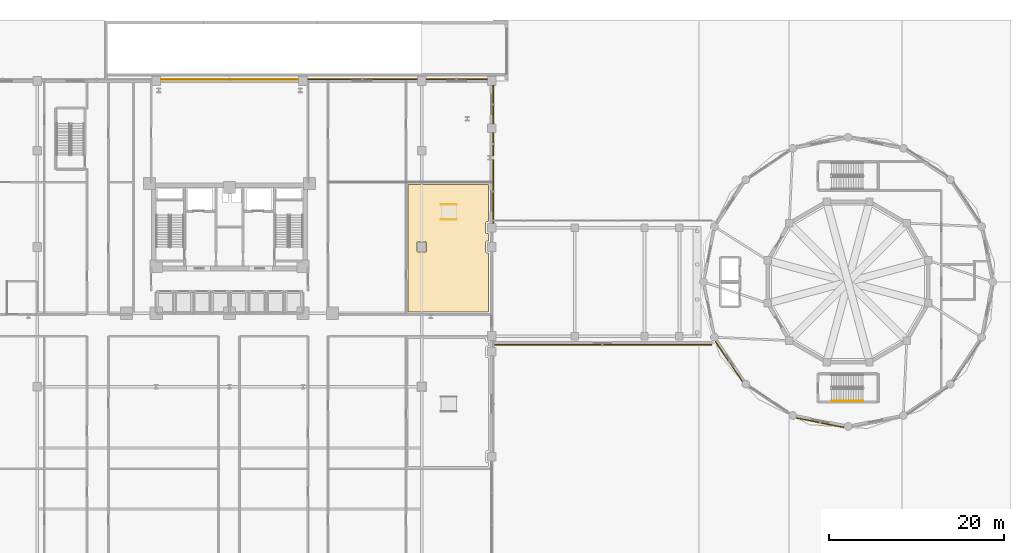
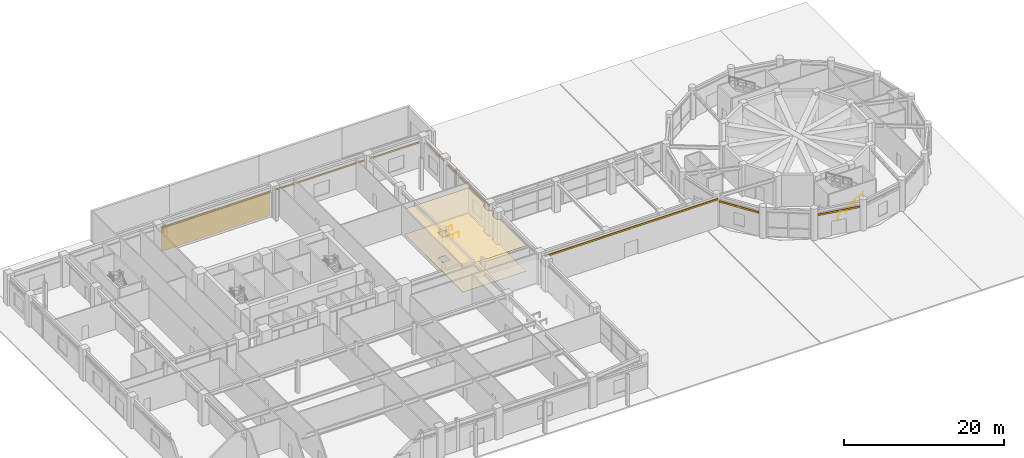
# One storey, part 37 of 40: 9 shading devices, 3 coverings, 3 railings.
"""IFC4 building model written with IfcOpenShell, lengths in metres."""

from ifc_helpers import new_model, si_unit, derived_unit, direction, frame, origin, origin_2d, place, context, subcontext, project, spatial, polyline, hollow_rectangle, circle, outline, extrude, source, transform, mapped, material, layer, layer_set, material_profile, profile_set, type_object, element, save


model = new_model("IFC4")

# Units and contexts
model_context = context("Model", 3, precision=1e-05, world=origin(), true_north=direction((0.0, 1.0)))
body_context = subcontext(model_context, "Body", "Model", "MODEL_VIEW")
ifc_project = project(units=[si_unit("LENGTHUNIT", "METRE"), si_unit("AREAUNIT", "SQUARE_METRE"), si_unit("VOLUMEUNIT", "CUBIC_METRE"), si_unit("PLANEANGLEUNIT", "RADIAN"), si_unit("MASSUNIT", "GRAM", prefix="KILO"), derived_unit("THERMALTRANSMITTANCEUNIT", [(si_unit("POWERUNIT", "WATT"), 1), (si_unit("LENGTHUNIT", "METRE"), -2), (si_unit("THERMODYNAMICTEMPERATUREUNIT", "KELVIN"), -1)])], contexts=[model_context])

# Site, building, storey
site_placement = place(None, origin())
site = spatial("IfcSite", under=ifc_project, at=site_placement, CompositionType="ELEMENT")
building_placement = place(site_placement, origin())
building = spatial("IfcBuilding", under=site, at=building_placement, Name="Korsvarv Bourse and Concert Hall", CompositionType="ELEMENT")
storey_placement = place(building_placement, origin())
storey = spatial("IfcBuildingStorey", under=building, at=storey_placement, Name="L00", CompositionType="ELEMENT", Elevation=0.0)

# Coverings
ifc_material_1 = material(Name="Perforated mineral-wool and birch acoustic baffle ceiling", Category="wood")
ifc_layer_1 = layer(ifc_material_1, 0.02490234375)
ifc_layer_set_1 = layer_set([ifc_layer_1], Name="Perforated mineral-wool and birch acoustic baffle ceiling")
covering_type_1 = type_object("IfcCoveringType", Name="COV-CEIL-1", PredefinedType="CEILING", material=ifc_layer_set_1)
covering_1_placement = place(storey_placement, frame((0.0, 0.0, 3.89990234375)))
element("IfcCovering", 1, at=covering_1_placement, inside=storey, type_object=covering_type_1, Name="L00 acoustic baffle ceiling 3", PredefinedType="CEILING", context=body_context, shape_type="SweptSolid", body=[
    extrude(outline(polyline([(65.659912109375, 42.889892578125), (65.5, 42.889892578125), (65.465087890625, 42.88671875), (65.431396484375, 42.87646484375), (65.400634765625, 42.860107421875), (65.373291015625, 42.837890625), (65.35107421875, 42.810791015625), (65.334228515625, 42.780029296875), (65.32373046875, 42.74658203125), (65.320068359375, 42.7119140625), (65.31005859375, 41.701904296875), (65.31298828125, 41.6669921875), (65.32275390625, 41.633544921875), (65.338623046875, 41.6025390625), (65.3603515625, 41.5751953125), (65.38671875, 41.552490234375), (65.417236328125, 41.535400390625), (65.4501953125, 41.5244140625), (65.48486328125, 41.52001953125), (65.659912109375, 41.51513671875), (65.659912109375, 40.68994140625), (65.5, 40.68994140625), (65.465087890625, 40.6865234375), (65.431396484375, 40.676513671875), (65.400634765625, 40.659912109375), (65.373291015625, 40.637939453125), (65.35107421875, 40.61083984375), (65.334228515625, 40.580078125), (65.32373046875, 40.546630859375), (65.320068359375, 40.51171875), (65.31005859375, 39.501708984375), (65.31298828125, 39.467041015625), (65.32275390625, 39.43359375), (65.338623046875, 39.402587890625), (65.3603515625, 39.375244140625), (65.38671875, 39.3525390625), (65.417236328125, 39.33544921875), (65.4501953125, 39.324462890625), (65.48486328125, 39.320068359375), (65.659912109375, 39.315185546875), (65.659912109375, 32.530029296875), (56.449951171875, 32.530029296875), (56.449951171875, 47.14990234375), (65.659912109375, 47.14990234375), (65.659912109375, 42.889892578125)]), holes=[polyline([(57.476318359375, 39.455810546875), (57.5, 39.449951171875), (58.5, 39.449951171875), (58.523681640625, 39.455810546875), (58.54150390625, 39.47216796875), (58.5498046875, 39.4951171875), (58.550048828125, 40.5), (58.544189453125, 40.523681640625), (58.52783203125, 40.54150390625), (58.5048828125, 40.5498046875), (57.5, 40.550048828125), (57.476318359375, 40.544189453125), (57.45849609375, 40.52783203125), (57.4501953125, 40.5048828125), (57.449951171875, 39.5), (57.455810546875, 39.476318359375), (57.476318359375, 39.455810546875)])]), origin(), (0.0, 0.0, 1.0), 0.025146484375),
])
ifc_material_2 = material(Name="Warm iron-oxide extruded terracotta rainscreen tile", Category="ceramic")
ifc_layer_2 = layer(ifc_material_2, 0.044921875)
ifc_layer_set_2 = layer_set([ifc_layer_2], Name="Warm iron-oxide extruded terracotta rainscreen tile")
covering_type_2 = type_object("IfcCoveringType", Name="COV-CLD-TC", PredefinedType="CLADDING", material=ifc_layer_set_2)
covering_2_placement = place(storey_placement, origin())
element("IfcCovering", 2, at=covering_2_placement, inside=storey, type_object=covering_type_2, Name="L00 fluted terracotta cladding panel EW-L00-N3", PredefinedType="CLADDING", context=body_context, shape_type="SweptSolid", body=[
    extrude(outline(polyline([(28.18505859375, 59.155029296875), (43.81494140625, 59.155029296875), (43.81494140625, 59.199951171875), (28.18505859375, 59.199951171875), (28.18505859375, 59.155029296875)])), origin(), (0.0, 0.0, 1.0), 3.5),
])
ifc_material_3 = material(Name="Calcium-sulphate raised access trading floor with Nordic oak top", Category="wood")
ifc_layer_3 = layer(ifc_material_3, 0.0400390625)
ifc_layer_set_3 = layer_set([ifc_layer_3], Name="Calcium-sulphate raised access trading floor with Nordic oak top")
covering_type_3 = type_object("IfcCoveringType", Name="COV-FLOR-1", PredefinedType="FLOORING", material=ifc_layer_set_3)
covering_3_placement = place(storey_placement, origin())
element("IfcCovering", 3, at=covering_3_placement, inside=storey, type_object=covering_type_3, Name="L00 raised access oak floor finish 3", PredefinedType="FLOORING", context=body_context, shape_type="SweptSolid", body=[
    extrude(outline(polyline([(65.659912109375, 42.889892578125), (65.5, 42.889892578125), (65.465087890625, 42.88671875), (65.431396484375, 42.87646484375), (65.400634765625, 42.860107421875), (65.373291015625, 42.837890625), (65.35107421875, 42.810791015625), (65.334228515625, 42.780029296875), (65.32373046875, 42.74658203125), (65.320068359375, 42.7119140625), (65.31005859375, 41.701904296875), (65.31298828125, 41.6669921875), (65.32275390625, 41.633544921875), (65.338623046875, 41.6025390625), (65.3603515625, 41.5751953125), (65.38671875, 41.552490234375), (65.417236328125, 41.535400390625), (65.4501953125, 41.5244140625), (65.48486328125, 41.52001953125), (65.659912109375, 41.51513671875), (65.659912109375, 40.68994140625), (65.5, 40.68994140625), (65.465087890625, 40.6865234375), (65.431396484375, 40.676513671875), (65.400634765625, 40.659912109375), (65.373291015625, 40.637939453125), (65.35107421875, 40.61083984375), (65.334228515625, 40.580078125), (65.32373046875, 40.546630859375), (65.320068359375, 40.51171875), (65.31005859375, 39.501708984375), (65.31298828125, 39.467041015625), (65.32275390625, 39.43359375), (65.338623046875, 39.402587890625), (65.3603515625, 39.375244140625), (65.38671875, 39.3525390625), (65.417236328125, 39.33544921875), (65.4501953125, 39.324462890625), (65.48486328125, 39.320068359375), (65.659912109375, 39.315185546875), (65.659912109375, 32.530029296875), (56.449951171875, 32.530029296875), (56.449951171875, 47.14990234375), (65.659912109375, 47.14990234375), (65.659912109375, 42.889892578125)]), holes=[polyline([(57.476318359375, 39.455810546875), (57.5, 39.449951171875), (58.5, 39.449951171875), (58.523681640625, 39.455810546875), (58.54150390625, 39.47216796875), (58.5498046875, 39.4951171875), (58.550048828125, 40.5), (58.544189453125, 40.523681640625), (58.52783203125, 40.54150390625), (58.5048828125, 40.5498046875), (57.5, 40.550048828125), (57.476318359375, 40.544189453125), (57.45849609375, 40.52783203125), (57.4501953125, 40.5048828125), (57.449951171875, 39.5), (57.455810546875, 39.476318359375), (57.476318359375, 39.455810546875)])]), origin(), (0.0, 0.0, 1.0), 0.0400390625),
])

# Railings
ifc_material_4 = material(Name="Brushed stainless Steel S355 tubular handrail", Category="steel")
railing_type = type_object("IfcRailingType", Name="RL-ST-HND", PredefinedType="HANDRAIL", material=ifc_material_4)
railing_placement = place(storey_placement, frame((104.89990234375, 22.389892578125, 0.17138671875)))
element("IfcRailing", 4, at=railing_placement, inside=storey, type_object=railing_type, Name="L00 ST-CH2 stair handrail 1", PredefinedType="HANDRAIL", context=body_context, shape_type="SweptSolid", body=[
    extrude(circle(Radius=0.02392578125, at=origin_2d()), frame((0.0, 0.0, 0.8759765625), z_axis=(0.852865859571, 0.0, 0.52213008492), x_axis=(0.0, 1.0, 0.0)), (0.0, 0.0, 1.0), 4.26806640625),
    extrude(circle(Radius=0.02099609375, at=origin_2d()), origin(), (0.0, 0.0, 1.0), 0.851806640625),
    extrude(circle(Radius=0.02099609375, at=origin_2d()), frame((1.21337890625, 0.0, 0.742919921875)), (0.0, 0.0, 1.0), 0.851806640625),
    extrude(circle(Radius=0.02099609375, at=origin_2d()), frame((2.4267578125, 0.0, 1.485595703125)), (0.0, 0.0, 1.0), 0.851806640625),
    extrude(circle(Radius=0.02099609375, at=origin_2d()), frame((3.64013671875, 0.0, 2.228515625)), (0.0, 0.0, 1.0), 0.851806640625),
])
for number, where, name in (
    (5, (60.199951171875, 43.14990234375, -0.1201171875), "L00 north accessible ramp handrail S"),
    (6, (60.199951171875, 44.85009765625, -0.1201171875), "L00 north accessible ramp handrail N"),
):
    element("IfcRailing", number, at=place(storey_placement, frame(where)), inside=storey, type_object=railing_type, Name=name, PredefinedType="HANDRAIL", context=body_context, shape_type="SweptSolid", body=[
        extrude(circle(Radius=0.02392578125, at=origin_2d()), frame((0.0, 0.0, 0.89599609375), z_axis=(0.997780964268, 0.0, 0.0665818845), x_axis=(0.0, 1.0, 0.0)), (0.0, 0.0, 1.0), 1.803955078125),
        extrude(circle(Radius=0.02099609375, at=origin_2d()), origin(), (0.0, 0.0, 1.0), 0.871826171875),
        extrude(circle(Radius=0.02099609375, at=origin_2d()), frame((0.89990234375, 0.0, 0.06005859375)), (0.0, 0.0, 1.0), 0.871826171875),
        extrude(circle(Radius=0.02099609375, at=origin_2d()), frame((1.800048828125, 0.0, 0.1201171875)), (0.0, 0.0, 1.0), 0.871826171875),
    ])

# Shading devices
ifc_material_5 = material(Name="Glazed extruded architectural terracotta", Category="ceramic")
ifc_material_profile = material_profile(ifc_material_5, hollow_rectangle(XDim=0.090087890625, YDim=0.260009765625, WallThickness=0.011962890625, at=origin_2d()), Name="TC-BAG 90x260")
ifc_profile_set = profile_set([ifc_material_profile], Name="Glazed extruded architectural terracotta")
shading_device_type = type_object("IfcShadingDeviceType", Name="SHD-BAG-1", PredefinedType="USERDEFINED", material=ifc_profile_set)
shared_shape_1 = source(origin(), body_context, "Body", "SweptSolid", [
    extrude(hollow_rectangle(XDim=0.090087890625, YDim=0.260009765625, WallThickness=0.011962890625, at=origin_2d()), origin(), (0.0, 0.0, 1.0), 12.590087890625),
])
shading_device_1_placement = place(storey_placement, frame((44.905029296875, 59.195068359375, 3.659912109375), z_axis=(1.0, 0.0, 0.0), x_axis=(0.0, 1.0, 0.0)))
element("IfcShadingDevice", 7, at=shading_device_1_placement, inside=storey, type_object=shading_device_type, Name="L00 terracotta baguette sunshade EW-L00-N4", ObjectType="BAGUETTE", PredefinedType="USERDEFINED", context=body_context, shape_type="MappedRepresentation", body=[
    mapped(shared_shape_1, transform((0.0, 0.0, 0.0), scale=1.0)),
])
shared_shape_2 = source(origin(), body_context, "Body", "SweptSolid", [
    extrude(hollow_rectangle(XDim=0.090087890625, YDim=0.260009765625, WallThickness=0.011962890625, at=origin_2d()), origin(), (0.0, 0.0, 1.0), 6.990234375),
])
shading_device_2_placement = place(storey_placement, frame((58.5048828125, 59.195068359375, 3.659912109375), z_axis=(1.0, 0.0, 0.0), x_axis=(0.0, 1.0, 0.0)))
element("IfcShadingDevice", 8, at=shading_device_2_placement, inside=storey, type_object=shading_device_type, Name="L00 terracotta baguette sunshade EW-L00-N5", ObjectType="BAGUETTE", PredefinedType="USERDEFINED", context=body_context, shape_type="MappedRepresentation", body=[
    mapped(shared_shape_2, transform((0.0, 0.0, 0.0), scale=1.0)),
])
shared_shape_3 = source(origin(), body_context, "Body", "SweptSolid", [
    extrude(hollow_rectangle(XDim=0.090087890625, YDim=0.260009765625, WallThickness=0.011962890625, at=origin_2d()), origin(), (0.0, 0.0, 1.0), 15.7900390625),
])
shading_device_3_placement = place(storey_placement, frame((28.10498046875, 59.195068359375, 3.659912109375), z_axis=(1.0, 0.0, 0.0), x_axis=(0.0, 1.0, 0.0)))
element("IfcShadingDevice", 9, at=shading_device_3_placement, inside=storey, type_object=shading_device_type, Name="L00 terracotta baguette sunshade EW-L00-N3", ObjectType="BAGUETTE", PredefinedType="USERDEFINED", context=body_context, shape_type="MappedRepresentation", body=[
    mapped(shared_shape_3, transform((0.0, 0.0, 0.0), scale=1.0)),
])
shared_shape_4 = source(origin(), body_context, "Body", "SweptSolid", [
    extrude(hollow_rectangle(XDim=0.090087890625, YDim=0.260009765625, WallThickness=0.011962890625, at=origin_2d()), origin(), (0.0, 0.0, 1.0), 2.6357421875),
])
shading_device_4_placement = place(storey_placement, frame((66.195068359375, 50.459228515625, 3.659912109375), z_axis=(0.0, 1.0, 0.0), x_axis=(-1.0, 0.0, 0.0)))
element("IfcShadingDevice", 10, at=shading_device_4_placement, inside=storey, type_object=shading_device_type, Name="L00 terracotta baguette sunshade EW-L00-E3-2", ObjectType="BAGUETTE", PredefinedType="USERDEFINED", context=body_context, shape_type="MappedRepresentation", body=[
    mapped(shared_shape_4, transform((0.0, 0.0, 0.0), scale=1.0)),
])
shared_shape_5 = source(origin(), body_context, "Body", "SweptSolid", [
    extrude(hollow_rectangle(XDim=0.090087890625, YDim=0.260009765625, WallThickness=0.011962890625, at=origin_2d()), origin(), (0.0, 0.0, 1.0), 4.39013671875),
])
shading_device_5_placement = place(storey_placement, frame((66.195068359375, 54.10498046875, 3.659912109375), z_axis=(0.0, 1.0, 0.0), x_axis=(-1.0, 0.0, 0.0)))
element("IfcShadingDevice", 11, at=shading_device_5_placement, inside=storey, type_object=shading_device_type, Name="L00 terracotta baguette sunshade EW-L00-E4", ObjectType="BAGUETTE", PredefinedType="USERDEFINED", context=body_context, shape_type="MappedRepresentation", body=[
    mapped(shared_shape_5, transform((0.0, 0.0, 0.0), scale=1.0)),
])
shared_shape_6 = source(origin(), body_context, "Body", "SweptSolid", [
    extrude(hollow_rectangle(XDim=0.090087890625, YDim=0.260009765625, WallThickness=0.011962890625, at=origin_2d()), origin(), (0.0, 0.0, 1.0), 7.27001953125),
])
shading_device_6_placement = place(storey_placement, frame((66.195068359375, 42.705078125, 3.659912109375), z_axis=(0.0, 1.0, 0.0), x_axis=(-1.0, 0.0, 0.0)))
element("IfcShadingDevice", 12, at=shading_device_6_placement, inside=storey, type_object=shading_device_type, Name="L00 terracotta baguette sunshade EW-L00-E3-1", ObjectType="BAGUETTE", PredefinedType="USERDEFINED", context=body_context, shape_type="MappedRepresentation", body=[
    mapped(shared_shape_6, transform((0.0, 0.0, 0.0), scale=1.0)),
])
shared_shape_7 = source(origin(), body_context, "Body", "SweptSolid", [
    extrude(hollow_rectangle(XDim=0.090087890625, YDim=0.260009765625, WallThickness=0.011962890625, at=origin_2d()), origin(), (0.0, 0.0, 1.0), 25.06005859375),
])
shading_device_7_placement = place(storey_placement, frame((66.159912109375, 28.804931640625, 4.3798828125), z_axis=(1.0, 0.0, 0.0), x_axis=(0.0, 1.0, 0.0)))
element("IfcShadingDevice", 13, at=shading_device_7_placement, inside=storey, type_object=shading_device_type, Name="L00 terracotta baguette sunshade EW-L00-LKS", ObjectType="BAGUETTE", PredefinedType="USERDEFINED", context=body_context, shape_type="MappedRepresentation", body=[
    mapped(shared_shape_7, transform((0.0, 0.0, 0.0), scale=1.0)),
])
shared_shape_8 = source(origin(), body_context, "Body", "SweptSolid", [
    extrude(hollow_rectangle(XDim=0.090087890625, YDim=0.260009765625, WallThickness=0.011962890625, at=origin_2d()), origin(), (0.0, 0.0, 1.0), 5.54736328125),
])
for number, where, z_axis, x_axis, name in (
    (14, (91.6171875, 29.191162109375, 3.669921875), (0.555573305798, -0.831467559129, 0.0), (0.831467559129, 0.555573305798, 0.0), "L00 terracotta baguette sunshade EW-L00-CHD10"),
    (15, (100.875, 20.4296875, 3.669921875), (0.980783277025, -0.195100393406, 0.0), (0.195100393406, 0.980783277025, 0.0), "L00 terracotta baguette sunshade EW-L00-CHD12"),
):
    element("IfcShadingDevice", number, at=place(storey_placement, frame(where, z_axis=z_axis, x_axis=x_axis)), inside=storey, type_object=shading_device_type, Name=name, ObjectType="BAGUETTE", PredefinedType="USERDEFINED", context=body_context, shape_type="MappedRepresentation", body=[
        mapped(shared_shape_8, transform((0.0, 0.0, 0.0), scale=1.0)),
    ])

save(model, "model.ifc")
